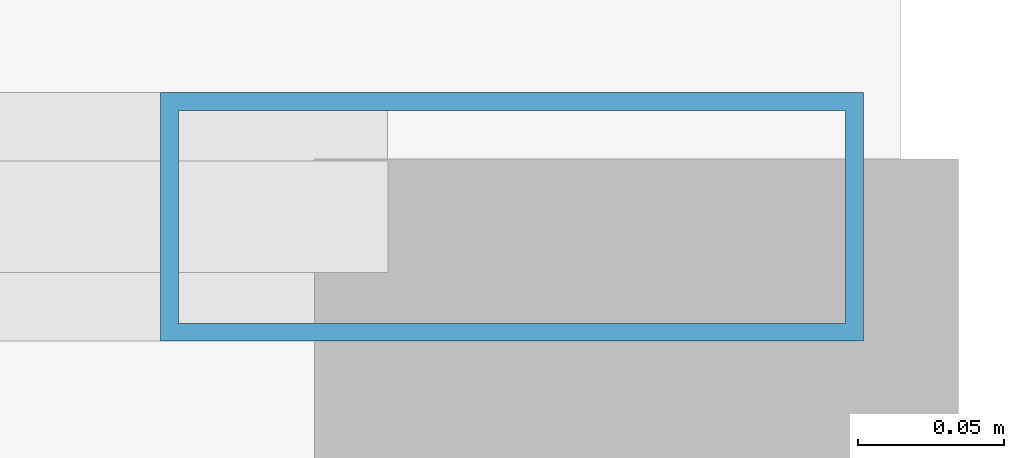
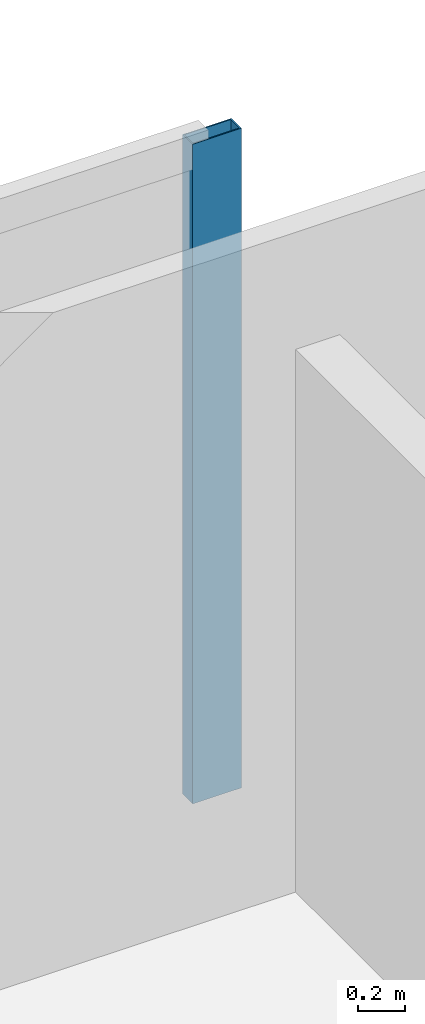
# One storey, part 24 of 33: 1 member, 1 element without a shape of its own.
"""IFC4 building model written with IfcOpenShell, lengths in metres."""

from ifc_helpers import new_model, si_unit, direction, frame, origin, origin_2d, place, context, subcontext, project, spatial, hollow_rectangle, extrude, material, material_profile, profile_set, type_object, element, aggregate, save


model = new_model("IFC4")

# Units and contexts
model_context = context("Model", 3, precision=1e-05, world=origin(), true_north=direction((0.0, 1.0)))
body_context = subcontext(model_context, "Body", "Model", "MODEL_VIEW")
ifc_project = project(units=[si_unit("LENGTHUNIT", "METRE"), si_unit("AREAUNIT", "SQUARE_METRE"), si_unit("VOLUMEUNIT", "CUBIC_METRE"), si_unit("PLANEANGLEUNIT", "RADIAN"), si_unit("MASSUNIT", "GRAM", prefix="KILO")], contexts=[model_context])

# Site, building, storey
site_placement = place(None, origin())
site = spatial("IfcSite", under=ifc_project, at=site_placement, CompositionType="ELEMENT")
building_placement = place(site_placement, origin())
building = spatial("IfcBuilding", under=site, at=building_placement, Name="Khoronbel Lancet Exchange", CompositionType="ELEMENT")
storey_placement = place(building_placement, frame((0.0, 0.0, 114.60009765625)))
storey = spatial("IfcBuildingStorey", under=building, at=storey_placement, Name="L27", CompositionType="ELEMENT", Elevation=114.60009765625)

# Curtain wall, member
ifc_material_1 = material(Name="Low-E Solar Control Insulating Glass", Category="glass")
curtain_wall_type = type_object("IfcCurtainWallType", Name="CW-2", PredefinedType="NOTDEFINED", material=ifc_material_1)
curtain_wall_placement = place(storey_placement, origin())
curtain_wall = element("IfcCurtainWall", 1, at=curtain_wall_placement, inside=storey, type_object=curtain_wall_type, Name="Unitised curtain wall CW-L27-NEFLK", PredefinedType="NOTDEFINED")
ifc_material_2 = material(Name="Bronze-Anodised Aluminium 6063-T6", Category="aluminium")
ifc_material_profile = material_profile(ifc_material_2, hollow_rectangle(XDim=0.0849609375, YDim=0.239990234375, WallThickness=0.006103515625, at=origin_2d()), Name="ALU MULLION 85x240")
ifc_profile_set = profile_set([ifc_material_profile], Name="Bronze-Anodised Aluminium 6063-T6")
member_type = type_object("IfcMemberType", Name="MEM-CWM1", PredefinedType="MULLION", material=ifc_profile_set)
member_placement = place(storey_placement, frame((65.91748046875, 53.610107421875, 0.0), z_axis=(0.0, 0.0, 1.0), x_axis=(0.0, -1.0, 0.0)))
member = element("IfcMember", 2, at=member_placement, type_object=member_type, Name="CW2 mullion 1", PredefinedType="MULLION", context=body_context, shape_type="SweptSolid", body=[
    extrude(hollow_rectangle(XDim=0.0849609375, YDim=0.239990234375, WallThickness=0.006103515625, at=origin_2d()), origin(), (0.0, 0.0, 1.0), 3.43994140625),
])
aggregate(curtain_wall, [member])

save(model, "model.ifc")
